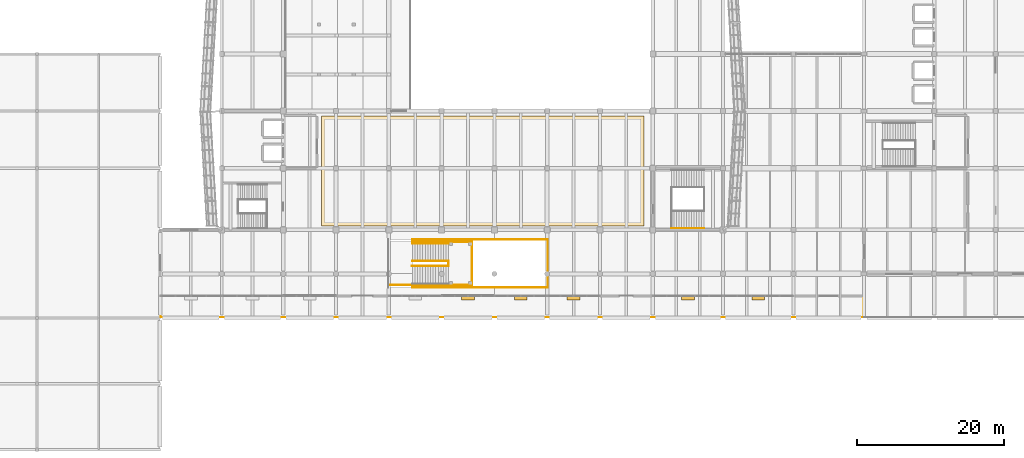
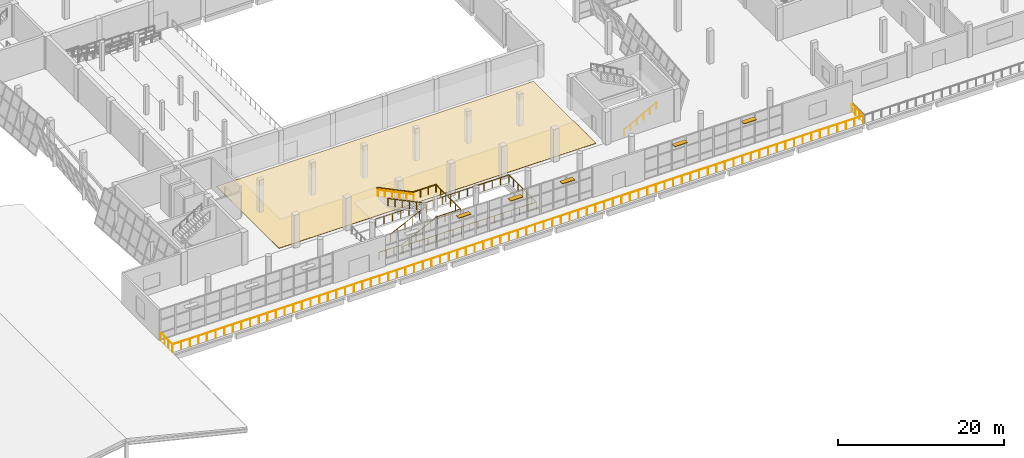
# One storey, part 73 of 79: 6 railings, 5 shading devices, 1 covering.
"""IFC4 building model written with IfcOpenShell, lengths in metres."""

from ifc_helpers import new_model, si_unit, direction, frame, origin, origin_2d, place, context, subcontext, project, spatial, polyline, rectangle, circle, outline, extrude, material, layer, layer_set, type_object, element, save


model = new_model("IFC4")

# Units and contexts
model_context = context("Model", 3, precision=1e-05, world=origin(), true_north=direction((0.0, 1.0)))
body_context = subcontext(model_context, "Body", "Model", "MODEL_VIEW")
ifc_project = project(units=[si_unit("LENGTHUNIT", "METRE"), si_unit("AREAUNIT", "SQUARE_METRE"), si_unit("VOLUMEUNIT", "CUBIC_METRE"), si_unit("PLANEANGLEUNIT", "RADIAN"), si_unit("MASSUNIT", "GRAM", prefix="KILO")], contexts=[model_context])

# Site, building, storey
site_placement = place(None, origin())
site = spatial("IfcSite", under=ifc_project, at=site_placement, CompositionType="ELEMENT")
building_placement = place(site_placement, origin())
building = spatial("IfcBuilding", under=site, at=building_placement, Name="Pellamere Symphony Hall", CompositionType="ELEMENT")
storey_placement = place(building_placement, frame((0.0, 0.0, 10.199951171875)))
storey = spatial("IfcBuildingStorey", under=building, at=storey_placement, Name="L02", CompositionType="ELEMENT", Elevation=10.199951171875)

# Railings
ifc_material_1 = material(Name="Laminated Low-Iron Acoustic Balustrade Glass", Category="glass")
railing_type_1 = type_object("IfcRailingType", Name="Balustrade BL-01 H1120 Laminated", PredefinedType="BALUSTRADE", material=ifc_material_1)
railing_1_placement = place(storey_placement, frame((73.25, 22.449951171875, 0.0)))
element("IfcRailing", 1, at=railing_1_placement, inside=storey, type_object=railing_type_1, Name="Feature Stair Outer Glass Balustrade (L02)", PredefinedType="BALUSTRADE", context=body_context, shape_type="SweptSolid", body=[
    extrude(circle(Radius=0.02392578125, at=origin_2d()), frame((0.0, 0.0, 1.09619140625), z_axis=(1.0, 0.0, 0.0), x_axis=(0.0, 1.0, 0.0)), (0.0, 0.0, 1.0), 3.14990234375),
    extrude(circle(Radius=0.02392578125, at=origin_2d()), frame((3.14990234375, 0.0, 1.09619140625), z_axis=(0.900155889247, 0.0, 0.435567876517), x_axis=(0.0, 1.0, 0.0)), (0.0, 0.0, 1.0), 5.510498046875),
    extrude(circle(Radius=0.02392578125, at=origin_2d()), frame((8.110107421875, 0.0, 3.49609375), z_axis=(1.0, 0.0, 0.0), x_axis=(0.0, 1.0, 0.0)), (0.0, 0.0, 1.0), 3.18994140625),
    extrude(circle(Radius=0.02392578125, at=origin_2d()), frame((11.300048828125, 0.0, 3.49609375), z_axis=(0.0, 1.0, 0.0), x_axis=(-1.0, 0.0, 0.0)), (0.0, 0.0, 1.0), 5.900146484375),
    extrude(circle(Radius=0.02392578125, at=origin_2d()), frame((11.300048828125, 5.900146484375, 3.49609375), z_axis=(-1.0, 0.0, 0.0), x_axis=(0.0, -1.0, 0.0)), (0.0, 0.0, 1.0), 3.18994140625),
    extrude(circle(Radius=0.02392578125, at=origin_2d()), frame((8.110107421875, 5.900146484375, 3.49609375), z_axis=(-0.900173260143, 0.0, 0.435531975548), x_axis=(0.0, -1.0, 0.0)), (0.0, 0.0, 1.0), 5.51025390625),
    extrude(circle(Radius=0.02099609375, at=origin_2d()), origin(), (0.0, 0.0, 1.0), 1.072021484375),
    extrude(circle(Radius=0.02099609375, at=origin_2d()), frame((1.050048828125, 0.0, 0.0)), (0.0, 0.0, 1.0), 1.072021484375),
    extrude(circle(Radius=0.02099609375, at=origin_2d()), frame((2.099853515625, 0.0, 0.0)), (0.0, 0.0, 1.0), 1.072021484375),
    extrude(circle(Radius=0.02099609375, at=origin_2d()), frame((3.14990234375, 0.0, 0.0)), (0.0, 0.0, 1.0), 1.072021484375),
    extrude(circle(Radius=0.02099609375, at=origin_2d()), frame((4.141845703125, 0.0, 0.47998046875)), (0.0, 0.0, 1.0), 1.072021484375),
    extrude(circle(Radius=0.02099609375, at=origin_2d()), frame((5.134033203125, 0.0, 0.9599609375)), (0.0, 0.0, 1.0), 1.072021484375),
    extrude(circle(Radius=0.02099609375, at=origin_2d()), frame((6.1259765625, 0.0, 1.440185546875)), (0.0, 0.0, 1.0), 1.072021484375),
    extrude(circle(Radius=0.02099609375, at=origin_2d()), frame((7.1181640625, 0.0, 1.920166015625)), (0.0, 0.0, 1.0), 1.072021484375),
    extrude(circle(Radius=0.02099609375, at=origin_2d()), frame((8.110107421875, 0.0, 2.400146484375)), (0.0, 0.0, 1.0), 1.072021484375),
    extrude(circle(Radius=0.02099609375, at=origin_2d()), frame((9.17333984375, 0.0, 2.400146484375)), (0.0, 0.0, 1.0), 1.072021484375),
    extrude(circle(Radius=0.02099609375, at=origin_2d()), frame((10.23681640625, 0.0, 2.400146484375)), (0.0, 0.0, 1.0), 1.072021484375),
    extrude(circle(Radius=0.02099609375, at=origin_2d()), frame((11.300048828125, 0.0, 2.400146484375)), (0.0, 0.0, 1.0), 1.072021484375),
    extrude(circle(Radius=0.02099609375, at=origin_2d()), frame((11.300048828125, 1.179931640625, 2.400146484375)), (0.0, 0.0, 1.0), 1.072021484375),
    extrude(circle(Radius=0.02099609375, at=origin_2d()), frame((11.300048828125, 2.360107421875, 2.400146484375)), (0.0, 0.0, 1.0), 1.072021484375),
    extrude(circle(Radius=0.02099609375, at=origin_2d()), frame((11.300048828125, 3.5400390625, 2.400146484375)), (0.0, 0.0, 1.0), 1.072021484375),
    extrude(circle(Radius=0.02099609375, at=origin_2d()), frame((11.300048828125, 4.72021484375, 2.400146484375)), (0.0, 0.0, 1.0), 1.072021484375),
    extrude(circle(Radius=0.02099609375, at=origin_2d()), frame((11.300048828125, 5.900146484375, 2.400146484375)), (0.0, 0.0, 1.0), 1.072021484375),
    extrude(circle(Radius=0.02099609375, at=origin_2d()), frame((10.23681640625, 5.900146484375, 2.400146484375)), (0.0, 0.0, 1.0), 1.072021484375),
    extrude(circle(Radius=0.02099609375, at=origin_2d()), frame((9.17333984375, 5.900146484375, 2.400146484375)), (0.0, 0.0, 1.0), 1.072021484375),
    extrude(circle(Radius=0.02099609375, at=origin_2d()), frame((8.110107421875, 5.900146484375, 2.400146484375)), (0.0, 0.0, 1.0), 1.072021484375),
    extrude(circle(Radius=0.02099609375, at=origin_2d()), frame((7.1181640625, 5.900146484375, 2.880126953125)), (0.0, 0.0, 1.0), 1.072021484375),
    extrude(circle(Radius=0.02099609375, at=origin_2d()), frame((6.1259765625, 5.900146484375, 3.360107421875)), (0.0, 0.0, 1.0), 1.072021484375),
    extrude(circle(Radius=0.02099609375, at=origin_2d()), frame((5.134033203125, 5.900146484375, 3.840087890625)), (0.0, 0.0, 1.0), 1.072021484375),
    extrude(circle(Radius=0.02099609375, at=origin_2d()), frame((4.141845703125, 5.900146484375, 4.320068359375)), (0.0, 0.0, 1.0), 1.072021484375),
    extrude(circle(Radius=0.02099609375, at=origin_2d()), frame((3.14990234375, 5.900146484375, 4.800048828125)), (0.0, 0.0, 1.0), 1.072021484375),
])
railing_2_placement = place(storey_placement, frame((76.35009765625, 25.050048828125, 0.0)))
element("IfcRailing", 2, at=railing_2_placement, inside=storey, type_object=railing_type_1, Name="Feature Stair Inner Slot Balustrade (L02)", PredefinedType="BALUSTRADE", context=body_context, shape_type="SweptSolid", body=[
    extrude(circle(Radius=0.02392578125, at=origin_2d()), frame((0.0, 0.0, 1.09619140625), z_axis=(0.901849921339, 0.0, 0.432049440899), x_axis=(0.0, 1.0, 0.0)), (0.0, 0.0, 1.0), 5.55517578125),
    extrude(circle(Radius=0.02392578125, at=origin_2d()), frame((5.010009765625, 0.0, 3.49609375), z_axis=(0.0, 1.0, 0.0), x_axis=(-1.0, 0.0, 0.0)), (0.0, 0.0, 1.0), 0.699951171875),
    extrude(circle(Radius=0.02392578125, at=origin_2d()), frame((5.010009765625, 0.699951171875, 3.49609375), z_axis=(-0.900173260143, 0.0, 0.435531975548), x_axis=(0.0, -1.0, 0.0)), (0.0, 0.0, 1.0), 5.51025390625),
    extrude(circle(Radius=0.02099609375, at=origin_2d()), origin(), (0.0, 0.0, 1.0), 1.072021484375),
    extrude(circle(Radius=0.02099609375, at=origin_2d()), frame((1.001953125, 0.0, 0.47998046875)), (0.0, 0.0, 1.0), 1.072021484375),
    extrude(circle(Radius=0.02099609375, at=origin_2d()), frame((2.00390625, 0.0, 0.9599609375)), (0.0, 0.0, 1.0), 1.072021484375),
    extrude(circle(Radius=0.02099609375, at=origin_2d()), frame((3.006103515625, 0.0, 1.440185546875)), (0.0, 0.0, 1.0), 1.072021484375),
    extrude(circle(Radius=0.02099609375, at=origin_2d()), frame((4.008056640625, 0.0, 1.920166015625)), (0.0, 0.0, 1.0), 1.072021484375),
    extrude(circle(Radius=0.02099609375, at=origin_2d()), frame((5.010009765625, 0.0, 2.400146484375)), (0.0, 0.0, 1.0), 1.072021484375),
    extrude(circle(Radius=0.02099609375, at=origin_2d()), frame((5.010009765625, 0.699951171875, 2.400146484375)), (0.0, 0.0, 1.0), 1.072021484375),
    extrude(circle(Radius=0.02099609375, at=origin_2d()), frame((4.01806640625, 0.699951171875, 2.880126953125)), (0.0, 0.0, 1.0), 1.072021484375),
    extrude(circle(Radius=0.02099609375, at=origin_2d()), frame((3.02587890625, 0.699951171875, 3.360107421875)), (0.0, 0.0, 1.0), 1.072021484375),
    extrude(circle(Radius=0.02099609375, at=origin_2d()), frame((2.033935546875, 0.699951171875, 3.840087890625)), (0.0, 0.0, 1.0), 1.072021484375),
    extrude(circle(Radius=0.02099609375, at=origin_2d()), frame((1.041748046875, 0.699951171875, 4.320068359375)), (0.0, 0.0, 1.0), 1.072021484375),
    extrude(circle(Radius=0.02099609375, at=origin_2d()), frame((0.0498046875, 0.699951171875, 4.800048828125)), (0.0, 0.0, 1.0), 1.072021484375),
])
railing_3_placement = place(storey_placement, frame((76.39990234375, 22.1201171875, 0.0)))
element("IfcRailing", 3, at=railing_3_placement, inside=storey, type_object=railing_type_1, Name="Safety Guardrail BL-ATR-L02", PredefinedType="BALUSTRADE", context=body_context, shape_type="SweptSolid", body=[
    extrude(circle(Radius=0.02392578125, at=origin_2d()), frame((0.0, 0.0, 1.09619140625), z_axis=(1.0, 0.0, 0.0), x_axis=(0.0, 1.0, 0.0)), (0.0, 0.0, 1.0), 18.47998046875),
    extrude(circle(Radius=0.02392578125, at=origin_2d()), frame((18.47998046875, 0.0, 1.09619140625), z_axis=(0.0, 1.0, 0.0), x_axis=(-1.0, 0.0, 0.0)), (0.0, 0.0, 1.0), 6.559814453125),
    extrude(circle(Radius=0.02392578125, at=origin_2d()), frame((18.47998046875, 6.559814453125, 1.09619140625), z_axis=(-1.0, 0.0, 0.0), x_axis=(0.0, -1.0, 0.0)), (0.0, 0.0, 1.0), 18.47998046875),
    extrude(circle(Radius=0.02099609375, at=origin_2d()), origin(), (0.0, 0.0, 1.0), 1.072021484375),
    extrude(circle(Radius=0.02099609375, at=origin_2d()), frame((1.155029296875, 0.0, 0.0)), (0.0, 0.0, 1.0), 1.072021484375),
    extrude(circle(Radius=0.02099609375, at=origin_2d()), frame((2.31005859375, 0.0, 0.0)), (0.0, 0.0, 1.0), 1.072021484375),
    extrude(circle(Radius=0.02099609375, at=origin_2d()), frame((3.465087890625, 0.0, 0.0)), (0.0, 0.0, 1.0), 1.072021484375),
    extrude(circle(Radius=0.02099609375, at=origin_2d()), frame((4.6201171875, 0.0, 0.0)), (0.0, 0.0, 1.0), 1.072021484375),
    extrude(circle(Radius=0.02099609375, at=origin_2d()), frame((5.77490234375, 0.0, 0.0)), (0.0, 0.0, 1.0), 1.072021484375),
    extrude(circle(Radius=0.02099609375, at=origin_2d()), frame((6.929931640625, 0.0, 0.0)), (0.0, 0.0, 1.0), 1.072021484375),
    extrude(circle(Radius=0.02099609375, at=origin_2d()), frame((8.0849609375, 0.0, 0.0)), (0.0, 0.0, 1.0), 1.072021484375),
    extrude(circle(Radius=0.02099609375, at=origin_2d()), frame((9.239990234375, 0.0, 0.0)), (0.0, 0.0, 1.0), 1.072021484375),
    extrude(circle(Radius=0.02099609375, at=origin_2d()), frame((10.39501953125, 0.0, 0.0)), (0.0, 0.0, 1.0), 1.072021484375),
    extrude(circle(Radius=0.02099609375, at=origin_2d()), frame((11.550048828125, 0.0, 0.0)), (0.0, 0.0, 1.0), 1.072021484375),
    extrude(circle(Radius=0.02099609375, at=origin_2d()), frame((12.705078125, 0.0, 0.0)), (0.0, 0.0, 1.0), 1.072021484375),
    extrude(circle(Radius=0.02099609375, at=origin_2d()), frame((13.85986328125, 0.0, 0.0)), (0.0, 0.0, 1.0), 1.072021484375),
    extrude(circle(Radius=0.02099609375, at=origin_2d()), frame((15.014892578125, 0.0, 0.0)), (0.0, 0.0, 1.0), 1.072021484375),
    extrude(circle(Radius=0.02099609375, at=origin_2d()), frame((16.169921875, 0.0, 0.0)), (0.0, 0.0, 1.0), 1.072021484375),
    extrude(circle(Radius=0.02099609375, at=origin_2d()), frame((17.324951171875, 0.0, 0.0)), (0.0, 0.0, 1.0), 1.072021484375),
    extrude(circle(Radius=0.02099609375, at=origin_2d()), frame((18.47998046875, 0.0, 0.0)), (0.0, 0.0, 1.0), 1.072021484375),
    extrude(circle(Radius=0.02099609375, at=origin_2d()), frame((18.47998046875, 1.09326171875, 0.0)), (0.0, 0.0, 1.0), 1.072021484375),
    extrude(circle(Radius=0.02099609375, at=origin_2d()), frame((18.47998046875, 2.1865234375, 0.0)), (0.0, 0.0, 1.0), 1.072021484375),
    extrude(circle(Radius=0.02099609375, at=origin_2d()), frame((18.47998046875, 3.27978515625, 0.0)), (0.0, 0.0, 1.0), 1.072021484375),
    extrude(circle(Radius=0.02099609375, at=origin_2d()), frame((18.47998046875, 4.373291015625, 0.0)), (0.0, 0.0, 1.0), 1.072021484375),
    extrude(circle(Radius=0.02099609375, at=origin_2d()), frame((18.47998046875, 5.466552734375, 0.0)), (0.0, 0.0, 1.0), 1.072021484375),
    extrude(circle(Radius=0.02099609375, at=origin_2d()), frame((18.47998046875, 6.559814453125, 0.0)), (0.0, 0.0, 1.0), 1.072021484375),
    extrude(circle(Radius=0.02099609375, at=origin_2d()), frame((17.324951171875, 6.559814453125, 0.0)), (0.0, 0.0, 1.0), 1.072021484375),
    extrude(circle(Radius=0.02099609375, at=origin_2d()), frame((16.169921875, 6.559814453125, 0.0)), (0.0, 0.0, 1.0), 1.072021484375),
    extrude(circle(Radius=0.02099609375, at=origin_2d()), frame((15.014892578125, 6.559814453125, 0.0)), (0.0, 0.0, 1.0), 1.072021484375),
    extrude(circle(Radius=0.02099609375, at=origin_2d()), frame((13.85986328125, 6.559814453125, 0.0)), (0.0, 0.0, 1.0), 1.072021484375),
    extrude(circle(Radius=0.02099609375, at=origin_2d()), frame((12.705078125, 6.559814453125, 0.0)), (0.0, 0.0, 1.0), 1.072021484375),
    extrude(circle(Radius=0.02099609375, at=origin_2d()), frame((11.550048828125, 6.559814453125, 0.0)), (0.0, 0.0, 1.0), 1.072021484375),
    extrude(circle(Radius=0.02099609375, at=origin_2d()), frame((10.39501953125, 6.559814453125, 0.0)), (0.0, 0.0, 1.0), 1.072021484375),
    extrude(circle(Radius=0.02099609375, at=origin_2d()), frame((9.239990234375, 6.559814453125, 0.0)), (0.0, 0.0, 1.0), 1.072021484375),
    extrude(circle(Radius=0.02099609375, at=origin_2d()), frame((8.0849609375, 6.559814453125, 0.0)), (0.0, 0.0, 1.0), 1.072021484375),
    extrude(circle(Radius=0.02099609375, at=origin_2d()), frame((6.929931640625, 6.559814453125, 0.0)), (0.0, 0.0, 1.0), 1.072021484375),
    extrude(circle(Radius=0.02099609375, at=origin_2d()), frame((5.77490234375, 6.559814453125, 0.0)), (0.0, 0.0, 1.0), 1.072021484375),
    extrude(circle(Radius=0.02099609375, at=origin_2d()), frame((4.6201171875, 6.559814453125, 0.0)), (0.0, 0.0, 1.0), 1.072021484375),
    extrude(circle(Radius=0.02099609375, at=origin_2d()), frame((3.465087890625, 6.559814453125, 0.0)), (0.0, 0.0, 1.0), 1.072021484375),
    extrude(circle(Radius=0.02099609375, at=origin_2d()), frame((2.31005859375, 6.559814453125, 0.0)), (0.0, 0.0, 1.0), 1.072021484375),
    extrude(circle(Radius=0.02099609375, at=origin_2d()), frame((1.155029296875, 6.559814453125, 0.0)), (0.0, 0.0, 1.0), 1.072021484375),
    extrude(circle(Radius=0.02099609375, at=origin_2d()), frame((0.0, 6.559814453125, 0.0)), (0.0, 0.0, 1.0), 1.072021484375),
])

# Shading devices
ifc_material_2 = material(Name="Champagne-Anodised Extruded Aluminium 6063-T6", Category="aluminium")
shading_device_type = type_object("IfcShadingDeviceType", Name="Exterior Shading SD-02 1750x650", PredefinedType="AWNING", material=ifc_material_2)
for number, where, z_axis, x_axis, name in (
    (4, (84.0, 20.719970703125, 3.8125), (0.0, 0.0, 1.0), (1.0, 0.0, 0.0), "South Concourse Brise-Soleil Awning (L02 Bay 6)"),
    (5, (91.199951171875, 20.719970703125, 3.8125), (0.0, 0.0, 1.0), (1.0, 0.0, 0.0), "South Concourse Brise-Soleil Awning (L02 Bay 7)"),
    (6, (98.39990234375, 20.719970703125, 3.8125), (0.0, 0.0, 1.0), (1.0, 0.0, 0.0), "South Concourse Brise-Soleil Awning (L02 Bay 8)"),
    (7, (114.0, 20.719970703125, 3.8125), (0.0, 0.0, 1.0), (1.0, 0.0, 0.0), "South Concourse Brise-Soleil Awning (L02 Bay 10)"),
    (8, (123.60009765625, 20.719970703125, 3.8125), (0.0, 0.0, 1.0), (1.0, 0.0, 0.0), "South Concourse Brise-Soleil Awning (L02 Bay 11)"),
):
    element("IfcShadingDevice", number, at=place(storey_placement, frame(where, z_axis=z_axis, x_axis=x_axis)), inside=storey, type_object=shading_device_type, Name=name, PredefinedType="AWNING", context=body_context, shape_type="SweptSolid", body=[
        extrude(rectangle(XDim=1.75, YDim=0.64990234375, at=origin_2d()), origin(), (0.0, 0.0, 1.0), 0.074951171875),
    ])

# Railings
ifc_material_3 = material(Name="Laminated Safety Glass 21.5mm with Stainless Cap", Category="glass")
railing_type_2 = type_object("IfcRailingType", Name="Guardrail GR-03 H1180 Laminated", PredefinedType="GUARDRAIL", material=ifc_material_3)
railing_4_placement = place(storey_placement, frame((42.080078125, 20.919921875, 0.0)))
element("IfcRailing", 9, at=railing_4_placement, inside=storey, type_object=railing_type_2, Name="Safety Guardrail GR-TER-L02-V4", PredefinedType="GUARDRAIL", context=body_context, shape_type="SweptSolid", body=[
    extrude(circle(Radius=0.02392578125, at=origin_2d()), frame((0.0, 0.0, 1.15576171875), z_axis=(0.0, -1.0, 0.0), x_axis=(1.0, 0.0, 0.0)), (0.0, 0.0, 1.0), 2.83984375),
    extrude(circle(Radius=0.02392578125, at=origin_2d()), frame((0.0, -2.83984375, 1.15576171875), z_axis=(1.0, 0.0, 0.0), x_axis=(0.0, 1.0, 0.0)), (0.0, 0.0, 1.0), 95.83984375),
    extrude(circle(Radius=0.02392578125, at=origin_2d()), frame((95.83984375, -2.83984375, 1.15576171875), z_axis=(0.0, 1.0, 0.0), x_axis=(-1.0, 0.0, 0.0)), (0.0, 0.0, 1.0), 2.83984375),
    extrude(circle(Radius=0.02099609375, at=origin_2d()), origin(), (0.0, 0.0, 1.0), 1.1318359375),
    extrude(circle(Radius=0.02099609375, at=origin_2d()), frame((0.0, -0.946533203125, 0.0)), (0.0, 0.0, 1.0), 1.1318359375),
    extrude(circle(Radius=0.02099609375, at=origin_2d()), frame((0.0, -1.893310546875, 0.0)), (0.0, 0.0, 1.0), 1.1318359375),
    extrude(circle(Radius=0.02099609375, at=origin_2d()), frame((0.0, -2.83984375, 0.0)), (0.0, 0.0, 1.0), 1.1318359375),
    extrude(circle(Radius=0.02099609375, at=origin_2d()), frame((1.197998046875, -2.83984375, 0.0)), (0.0, 0.0, 1.0), 1.1318359375),
    extrude(circle(Radius=0.02099609375, at=origin_2d()), frame((2.39599609375, -2.83984375, 0.0)), (0.0, 0.0, 1.0), 1.1318359375),
    extrude(circle(Radius=0.02099609375, at=origin_2d()), frame((3.593994140625, -2.83984375, 0.0)), (0.0, 0.0, 1.0), 1.1318359375),
    extrude(circle(Radius=0.02099609375, at=origin_2d()), frame((4.7919921875, -2.83984375, 0.0)), (0.0, 0.0, 1.0), 1.1318359375),
    extrude(circle(Radius=0.02099609375, at=origin_2d()), frame((5.989990234375, -2.83984375, 0.0)), (0.0, 0.0, 1.0), 1.1318359375),
    extrude(circle(Radius=0.02099609375, at=origin_2d()), frame((7.18798828125, -2.83984375, 0.0)), (0.0, 0.0, 1.0), 1.1318359375),
    extrude(circle(Radius=0.02099609375, at=origin_2d()), frame((8.385986328125, -2.83984375, 0.0)), (0.0, 0.0, 1.0), 1.1318359375),
    extrude(circle(Radius=0.02099609375, at=origin_2d()), frame((9.583984375, -2.83984375, 0.0)), (0.0, 0.0, 1.0), 1.1318359375),
    extrude(circle(Radius=0.02099609375, at=origin_2d()), frame((10.781982421875, -2.83984375, 0.0)), (0.0, 0.0, 1.0), 1.1318359375),
    extrude(circle(Radius=0.02099609375, at=origin_2d()), frame((11.97998046875, -2.83984375, 0.0)), (0.0, 0.0, 1.0), 1.1318359375),
    extrude(circle(Radius=0.02099609375, at=origin_2d()), frame((13.177978515625, -2.83984375, 0.0)), (0.0, 0.0, 1.0), 1.1318359375),
    extrude(circle(Radius=0.02099609375, at=origin_2d()), frame((14.3759765625, -2.83984375, 0.0)), (0.0, 0.0, 1.0), 1.1318359375),
    extrude(circle(Radius=0.02099609375, at=origin_2d()), frame((15.573974609375, -2.83984375, 0.0)), (0.0, 0.0, 1.0), 1.1318359375),
    extrude(circle(Radius=0.02099609375, at=origin_2d()), frame((16.77197265625, -2.83984375, 0.0)), (0.0, 0.0, 1.0), 1.1318359375),
    extrude(circle(Radius=0.02099609375, at=origin_2d()), frame((17.969970703125, -2.83984375, 0.0)), (0.0, 0.0, 1.0), 1.1318359375),
    extrude(circle(Radius=0.02099609375, at=origin_2d()), frame((19.16796875, -2.83984375, 0.0)), (0.0, 0.0, 1.0), 1.1318359375),
    extrude(circle(Radius=0.02099609375, at=origin_2d()), frame((20.365966796875, -2.83984375, 0.0)), (0.0, 0.0, 1.0), 1.1318359375),
    extrude(circle(Radius=0.02099609375, at=origin_2d()), frame((21.56396484375, -2.83984375, 0.0)), (0.0, 0.0, 1.0), 1.1318359375),
    extrude(circle(Radius=0.02099609375, at=origin_2d()), frame((22.761962890625, -2.83984375, 0.0)), (0.0, 0.0, 1.0), 1.1318359375),
    extrude(circle(Radius=0.02099609375, at=origin_2d()), frame((23.9599609375, -2.83984375, 0.0)), (0.0, 0.0, 1.0), 1.1318359375),
    extrude(circle(Radius=0.02099609375, at=origin_2d()), frame((25.157958984375, -2.83984375, 0.0)), (0.0, 0.0, 1.0), 1.1318359375),
    extrude(circle(Radius=0.02099609375, at=origin_2d()), frame((26.35595703125, -2.83984375, 0.0)), (0.0, 0.0, 1.0), 1.1318359375),
    extrude(circle(Radius=0.02099609375, at=origin_2d()), frame((27.553955078125, -2.83984375, 0.0)), (0.0, 0.0, 1.0), 1.1318359375),
    extrude(circle(Radius=0.02099609375, at=origin_2d()), frame((28.751953125, -2.83984375, 0.0)), (0.0, 0.0, 1.0), 1.1318359375),
    extrude(circle(Radius=0.02099609375, at=origin_2d()), frame((29.949951171875, -2.83984375, 0.0)), (0.0, 0.0, 1.0), 1.1318359375),
    extrude(circle(Radius=0.02099609375, at=origin_2d()), frame((31.14794921875, -2.83984375, 0.0)), (0.0, 0.0, 1.0), 1.1318359375),
    extrude(circle(Radius=0.02099609375, at=origin_2d()), frame((32.345947265625, -2.83984375, 0.0)), (0.0, 0.0, 1.0), 1.1318359375),
    extrude(circle(Radius=0.02099609375, at=origin_2d()), frame((33.5439453125, -2.83984375, 0.0)), (0.0, 0.0, 1.0), 1.1318359375),
    extrude(circle(Radius=0.02099609375, at=origin_2d()), frame((34.741943359375, -2.83984375, 0.0)), (0.0, 0.0, 1.0), 1.1318359375),
    extrude(circle(Radius=0.02099609375, at=origin_2d()), frame((35.93994140625, -2.83984375, 0.0)), (0.0, 0.0, 1.0), 1.1318359375),
    extrude(circle(Radius=0.02099609375, at=origin_2d()), frame((37.137939453125, -2.83984375, 0.0)), (0.0, 0.0, 1.0), 1.1318359375),
    extrude(circle(Radius=0.02099609375, at=origin_2d()), frame((38.3359375, -2.83984375, 0.0)), (0.0, 0.0, 1.0), 1.1318359375),
    extrude(circle(Radius=0.02099609375, at=origin_2d()), frame((39.533935546875, -2.83984375, 0.0)), (0.0, 0.0, 1.0), 1.1318359375),
    extrude(circle(Radius=0.02099609375, at=origin_2d()), frame((40.73193359375, -2.83984375, 0.0)), (0.0, 0.0, 1.0), 1.1318359375),
    extrude(circle(Radius=0.02099609375, at=origin_2d()), frame((41.929931640625, -2.83984375, 0.0)), (0.0, 0.0, 1.0), 1.1318359375),
    extrude(circle(Radius=0.02099609375, at=origin_2d()), frame((43.1279296875, -2.83984375, 0.0)), (0.0, 0.0, 1.0), 1.1318359375),
    extrude(circle(Radius=0.02099609375, at=origin_2d()), frame((44.325927734375, -2.83984375, 0.0)), (0.0, 0.0, 1.0), 1.1318359375),
    extrude(circle(Radius=0.02099609375, at=origin_2d()), frame((45.52392578125, -2.83984375, 0.0)), (0.0, 0.0, 1.0), 1.1318359375),
    extrude(circle(Radius=0.02099609375, at=origin_2d()), frame((46.721923828125, -2.83984375, 0.0)), (0.0, 0.0, 1.0), 1.1318359375),
    extrude(circle(Radius=0.02099609375, at=origin_2d()), frame((47.919921875, -2.83984375, 0.0)), (0.0, 0.0, 1.0), 1.1318359375),
    extrude(circle(Radius=0.02099609375, at=origin_2d()), frame((49.117919921875, -2.83984375, 0.0)), (0.0, 0.0, 1.0), 1.1318359375),
    extrude(circle(Radius=0.02099609375, at=origin_2d()), frame((50.31591796875, -2.83984375, 0.0)), (0.0, 0.0, 1.0), 1.1318359375),
    extrude(circle(Radius=0.02099609375, at=origin_2d()), frame((51.513916015625, -2.83984375, 0.0)), (0.0, 0.0, 1.0), 1.1318359375),
    extrude(circle(Radius=0.02099609375, at=origin_2d()), frame((52.7119140625, -2.83984375, 0.0)), (0.0, 0.0, 1.0), 1.1318359375),
    extrude(circle(Radius=0.02099609375, at=origin_2d()), frame((53.909912109375, -2.83984375, 0.0)), (0.0, 0.0, 1.0), 1.1318359375),
    extrude(circle(Radius=0.02099609375, at=origin_2d()), frame((55.10791015625, -2.83984375, 0.0)), (0.0, 0.0, 1.0), 1.1318359375),
    extrude(circle(Radius=0.02099609375, at=origin_2d()), frame((56.305908203125, -2.83984375, 0.0)), (0.0, 0.0, 1.0), 1.1318359375),
    extrude(circle(Radius=0.02099609375, at=origin_2d()), frame((57.50390625, -2.83984375, 0.0)), (0.0, 0.0, 1.0), 1.1318359375),
    extrude(circle(Radius=0.02099609375, at=origin_2d()), frame((58.701904296875, -2.83984375, 0.0)), (0.0, 0.0, 1.0), 1.1318359375),
    extrude(circle(Radius=0.02099609375, at=origin_2d()), frame((59.89990234375, -2.83984375, 0.0)), (0.0, 0.0, 1.0), 1.1318359375),
    extrude(circle(Radius=0.02099609375, at=origin_2d()), frame((61.097900390625, -2.83984375, 0.0)), (0.0, 0.0, 1.0), 1.1318359375),
    extrude(circle(Radius=0.02099609375, at=origin_2d()), frame((62.2958984375, -2.83984375, 0.0)), (0.0, 0.0, 1.0), 1.1318359375),
    extrude(circle(Radius=0.02099609375, at=origin_2d()), frame((63.493896484375, -2.83984375, 0.0)), (0.0, 0.0, 1.0), 1.1318359375),
    extrude(circle(Radius=0.02099609375, at=origin_2d()), frame((64.69189453125, -2.83984375, 0.0)), (0.0, 0.0, 1.0), 1.1318359375),
    extrude(circle(Radius=0.02099609375, at=origin_2d()), frame((65.889892578125, -2.83984375, 0.0)), (0.0, 0.0, 1.0), 1.1318359375),
    extrude(circle(Radius=0.02099609375, at=origin_2d()), frame((67.087890625, -2.83984375, 0.0)), (0.0, 0.0, 1.0), 1.1318359375),
    extrude(circle(Radius=0.02099609375, at=origin_2d()), frame((68.285888671875, -2.83984375, 0.0)), (0.0, 0.0, 1.0), 1.1318359375),
    extrude(circle(Radius=0.02099609375, at=origin_2d()), frame((69.48388671875, -2.83984375, 0.0)), (0.0, 0.0, 1.0), 1.1318359375),
    extrude(circle(Radius=0.02099609375, at=origin_2d()), frame((70.681884765625, -2.83984375, 0.0)), (0.0, 0.0, 1.0), 1.1318359375),
    extrude(circle(Radius=0.02099609375, at=origin_2d()), frame((71.8798828125, -2.83984375, 0.0)), (0.0, 0.0, 1.0), 1.1318359375),
    extrude(circle(Radius=0.02099609375, at=origin_2d()), frame((73.077880859375, -2.83984375, 0.0)), (0.0, 0.0, 1.0), 1.1318359375),
    extrude(circle(Radius=0.02099609375, at=origin_2d()), frame((74.27587890625, -2.83984375, 0.0)), (0.0, 0.0, 1.0), 1.1318359375),
    extrude(circle(Radius=0.02099609375, at=origin_2d()), frame((75.473876953125, -2.83984375, 0.0)), (0.0, 0.0, 1.0), 1.1318359375),
    extrude(circle(Radius=0.02099609375, at=origin_2d()), frame((76.671875, -2.83984375, 0.0)), (0.0, 0.0, 1.0), 1.1318359375),
    extrude(circle(Radius=0.02099609375, at=origin_2d()), frame((77.869873046875, -2.83984375, 0.0)), (0.0, 0.0, 1.0), 1.1318359375),
    extrude(circle(Radius=0.02099609375, at=origin_2d()), frame((79.06787109375, -2.83984375, 0.0)), (0.0, 0.0, 1.0), 1.1318359375),
    extrude(circle(Radius=0.02099609375, at=origin_2d()), frame((80.265869140625, -2.83984375, 0.0)), (0.0, 0.0, 1.0), 1.1318359375),
    extrude(circle(Radius=0.02099609375, at=origin_2d()), frame((81.4638671875, -2.83984375, 0.0)), (0.0, 0.0, 1.0), 1.1318359375),
    extrude(circle(Radius=0.02099609375, at=origin_2d()), frame((82.661865234375, -2.83984375, 0.0)), (0.0, 0.0, 1.0), 1.1318359375),
    extrude(circle(Radius=0.02099609375, at=origin_2d()), frame((83.85986328125, -2.83984375, 0.0)), (0.0, 0.0, 1.0), 1.1318359375),
    extrude(circle(Radius=0.02099609375, at=origin_2d()), frame((85.057861328125, -2.83984375, 0.0)), (0.0, 0.0, 1.0), 1.1318359375),
    extrude(circle(Radius=0.02099609375, at=origin_2d()), frame((86.255859375, -2.83984375, 0.0)), (0.0, 0.0, 1.0), 1.1318359375),
    extrude(circle(Radius=0.02099609375, at=origin_2d()), frame((87.453857421875, -2.83984375, 0.0)), (0.0, 0.0, 1.0), 1.1318359375),
    extrude(circle(Radius=0.02099609375, at=origin_2d()), frame((88.65185546875, -2.83984375, 0.0)), (0.0, 0.0, 1.0), 1.1318359375),
    extrude(circle(Radius=0.02099609375, at=origin_2d()), frame((89.849853515625, -2.83984375, 0.0)), (0.0, 0.0, 1.0), 1.1318359375),
    extrude(circle(Radius=0.02099609375, at=origin_2d()), frame((91.0478515625, -2.83984375, 0.0)), (0.0, 0.0, 1.0), 1.1318359375),
    extrude(circle(Radius=0.02099609375, at=origin_2d()), frame((92.245849609375, -2.83984375, 0.0)), (0.0, 0.0, 1.0), 1.1318359375),
    extrude(circle(Radius=0.02099609375, at=origin_2d()), frame((93.44384765625, -2.83984375, 0.0)), (0.0, 0.0, 1.0), 1.1318359375),
    extrude(circle(Radius=0.02099609375, at=origin_2d()), frame((94.641845703125, -2.83984375, 0.0)), (0.0, 0.0, 1.0), 1.1318359375),
    extrude(circle(Radius=0.02099609375, at=origin_2d()), frame((95.83984375, -2.83984375, 0.0)), (0.0, 0.0, 1.0), 1.1318359375),
    extrude(circle(Radius=0.02099609375, at=origin_2d()), frame((95.83984375, -1.893310546875, 0.0)), (0.0, 0.0, 1.0), 1.1318359375),
    extrude(circle(Radius=0.02099609375, at=origin_2d()), frame((95.83984375, -0.946533203125, 0.0)), (0.0, 0.0, 1.0), 1.1318359375),
    extrude(circle(Radius=0.02099609375, at=origin_2d()), frame((95.83984375, 0.0, 0.0)), (0.0, 0.0, 1.0), 1.1318359375),
])
ifc_material_4 = material(Name="Stainless Steel AISI 316", Category="steel")
railing_type_3 = type_object("IfcRailingType", Name="Handrail HR-01 H920 Stainless", PredefinedType="HANDRAIL", material=ifc_material_4)
railing_5_placement = place(storey_placement, frame((111.77490234375, 30.219970703125, 0.0)))
element("IfcRailing", 10, at=railing_5_placement, inside=storey, type_object=railing_type_3, Name="Stair ST08-L02 Lower Wall Handrail (L02)", PredefinedType="HANDRAIL", context=body_context, shape_type="SweptSolid", body=[
    extrude(circle(Radius=0.02392578125, at=origin_2d()), frame((0.0, 0.0, 0.89599609375), z_axis=(0.880149953968, 0.0, 0.474695753646), x_axis=(0.0, 1.0, 0.0)), (0.0, 0.0, 1.0), 5.05615234375),
    extrude(circle(Radius=0.02099609375, at=origin_2d()), origin(), (0.0, 0.0, 1.0), 0.871826171875),
    extrude(circle(Radius=0.02099609375, at=origin_2d()), frame((0.89013671875, 0.0, 0.47998046875)), (0.0, 0.0, 1.0), 0.871826171875),
    extrude(circle(Radius=0.02099609375, at=origin_2d()), frame((1.780029296875, 0.0, 0.9599609375)), (0.0, 0.0, 1.0), 0.871826171875),
    extrude(circle(Radius=0.02099609375, at=origin_2d()), frame((2.670166015625, 0.0, 1.440185546875)), (0.0, 0.0, 1.0), 0.871826171875),
    extrude(circle(Radius=0.02099609375, at=origin_2d()), frame((3.56005859375, 0.0, 1.920166015625)), (0.0, 0.0, 1.0), 0.871826171875),
    extrude(circle(Radius=0.02099609375, at=origin_2d()), frame((4.4501953125, 0.0, 2.400146484375)), (0.0, 0.0, 1.0), 0.871826171875),
])
ifc_material_5 = material(Name="Solid White Oak Acoustic Handrail with Steel Core", Category="steel")
railing_type_4 = type_object("IfcRailingType", Name="Handrail HR-02 H920 Solid", PredefinedType="HANDRAIL", material=ifc_material_5)
railing_6_placement = place(storey_placement, frame((81.360107421875, 28.14990234375, 2.400146484375)))
element("IfcRailing", 11, at=railing_6_placement, inside=storey, type_object=railing_type_4, Name="Feature Stair Oak Handrail Upper (L02)", PredefinedType="HANDRAIL", context=body_context, shape_type="SweptSolid", body=[
    extrude(circle(Radius=0.02392578125, at=origin_2d()), frame((0.0, 0.0, 0.89599609375), z_axis=(-0.900173260143, 0.0, 0.435531975548), x_axis=(0.0, -1.0, 0.0)), (0.0, 0.0, 1.0), 5.51025390625),
    extrude(circle(Radius=0.02099609375, at=origin_2d()), origin(), (0.0, 0.0, 1.0), 0.871826171875),
    extrude(circle(Radius=0.02099609375, at=origin_2d()), frame((-0.991943359375, 0.0, 0.47998046875)), (0.0, 0.0, 1.0), 0.871826171875),
    extrude(circle(Radius=0.02099609375, at=origin_2d()), frame((-1.984130859375, 0.0, 0.9599609375)), (0.0, 0.0, 1.0), 0.871826171875),
    extrude(circle(Radius=0.02099609375, at=origin_2d()), frame((-2.97607421875, 0.0, 1.43994140625)), (0.0, 0.0, 1.0), 0.871826171875),
    extrude(circle(Radius=0.02099609375, at=origin_2d()), frame((-3.96826171875, 0.0, 1.919921875)), (0.0, 0.0, 1.0), 0.871826171875),
    extrude(circle(Radius=0.02099609375, at=origin_2d()), frame((-4.960205078125, 0.0, 2.39990234375)), (0.0, 0.0, 1.0), 0.871826171875),
])

# Covering
ifc_material_6 = material(Name="Honed Dolomitic Limestone Foyer Terrazzo Flooring", Category="masonry")
ifc_layer = layer(ifc_material_6, 0.034912109375, Name="Honed Dolomitic Limestone Foyer Terrazzo Flooring")
ifc_layer_set = layer_set([ifc_layer], Name="Honed Dolomitic Limestone Foyer Terrazzo Flooring")
covering_type = type_object("IfcCoveringType", Name="Interior Covering FL-02 35mm", PredefinedType="FLOORING", material=ifc_layer_set)
covering_placement = place(storey_placement, origin())
element("IfcCovering", 12, at=covering_placement, inside=storey, type_object=covering_type, Name="Foyer Honed Limestone Terrazzo Flooring 4", PredefinedType="FLOORING", context=body_context, shape_type="SweptSolid", body=[
    extrude(outline(polyline([(64.0, 30.5), (108.0, 30.5), (108.0, 45.5), (64.0, 45.5), (64.0, 30.5)])), origin(), (0.0, 0.0, 1.0), 0.03515625),
])

save(model, "model.ifc")
